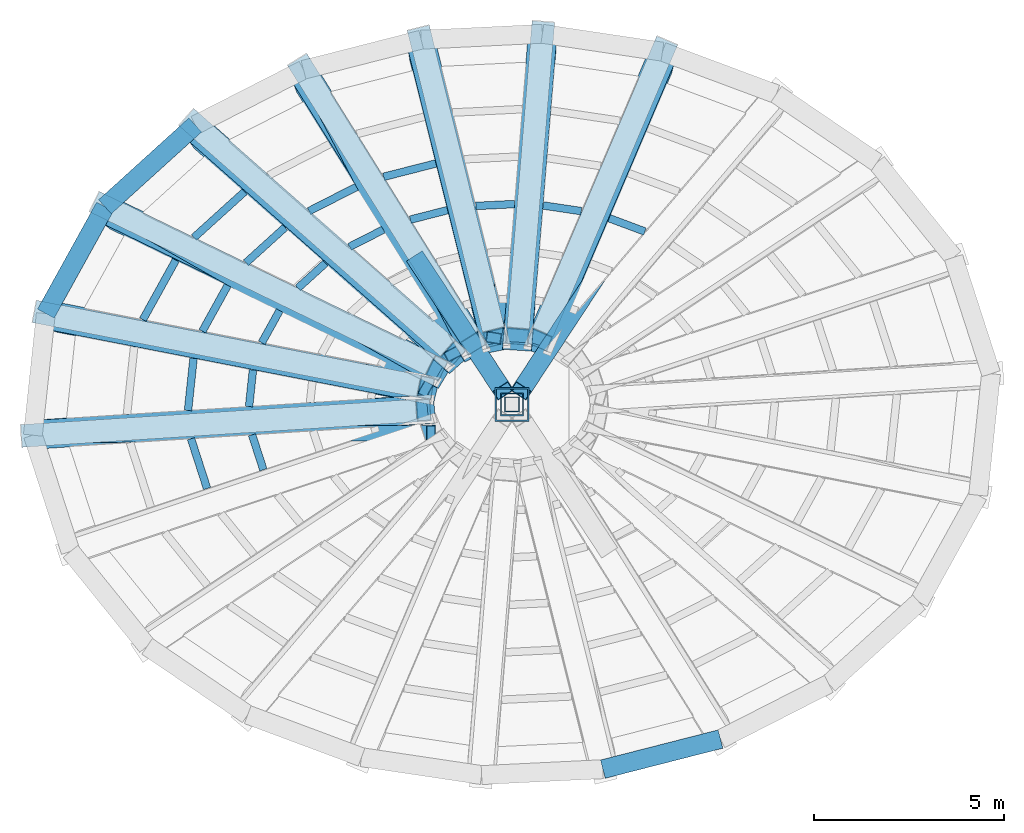
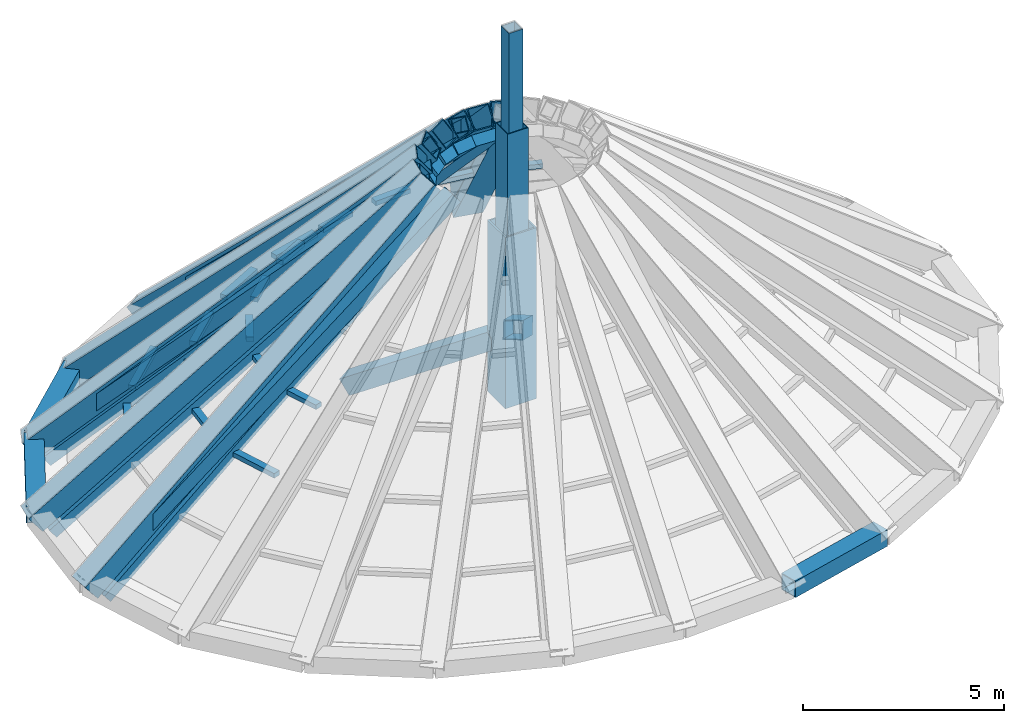
# One storey, part 2 of 9: 42 members, 3 beams, 1 element without a shape of its own.
"""IFC4 building model written with IfcOpenShell, lengths in metres."""

import ifcopenshell
import ifcopenshell.guid

model = None  # the IFC model being written
_history = None  # IfcOwnerHistory: only IFC2X3 demands one
_inside = {}  # id of a spatial element -> (the spatial element, [elements in it])
_under = {}  # id of a project, library or spatial element -> (it, [spatial elements below it])
_declared = {}  # id of a project -> (the project, [libraries it declares])
_typed = {}  # id of a type object -> (the type object, [elements of that type])
_made_of = {}  # id of a material, layer set ... -> (it, [elements and type objects made of it])


def new_model(schema):
    """Start an empty IFC model of exactly this schema.

    Asked for "IFC4X3", IfcOpenShell would pick the latest addendum, in which some entities
    have other attributes; the version numbers below select the first issue.
    IFC2X3 requires an IfcOwnerHistory on every rooted entity: one is made here for all.
    """
    global model, _history
    if schema == "IFC4X3":
        model = ifcopenshell.file(schema_version=(4, 3, 0, 0))
    else:
        model = ifcopenshell.file(schema=schema)
    _inside.clear()
    _under.clear()
    _declared.clear()
    _typed.clear()
    _made_of.clear()
    _history = None
    if model.schema == "IFC2X3":
        org = make("IfcOrganization", Name="unknown")
        user = make(
            "IfcPersonAndOrganization",
            ThePerson=make("IfcPerson", FamilyName="unknown"),
            TheOrganization=org,
        )
        app = make(
            "IfcApplication",
            ApplicationDeveloper=org,
            Version="unknown",
            ApplicationFullName="unknown",
            ApplicationIdentifier="unknown",
        )
        _history = make(
            "IfcOwnerHistory",
            OwningUser=user,
            OwningApplication=app,
            ChangeAction="ADDED",
            CreationDate=0,
        )
    return model


def make(cls, **values):
    """One entity of the class cls with the attributes given. An attribute that is None is left unset."""
    return model.create_entity(
        cls, **{name: value for name, value in values.items() if value is not None}
    )


def rooted(cls, **values):
    """An entity with a GlobalId (a new one), such as an element, a storey or a relation."""
    return make(cls, GlobalId=ifcopenshell.guid.new(), OwnerHistory=_history, **values)


def si_unit(unit_type, name, prefix=None):
    """IfcSIUnit, for example si_unit("LENGTHUNIT", "METRE", prefix="MILLI")."""
    return make("IfcSIUnit", UnitType=unit_type, Prefix=prefix, Name=name)


def assignment(units):
    """IfcUnitAssignment: the units of a project."""
    return None if units is None else make("IfcUnitAssignment", Units=units)


def point(xyz):
    """IfcCartesianPoint."""
    return None if xyz is None else make("IfcCartesianPoint", Coordinates=xyz)


def direction(xyz):
    """IfcDirection."""
    return None if xyz is None else make("IfcDirection", DirectionRatios=xyz)


def frame(location, z_axis=None, x_axis=None):
    """IfcAxis2Placement3D, a coordinate frame: its origin and axes. An axis left out is left unset."""
    return make(
        "IfcAxis2Placement3D",
        Location=point(location),
        Axis=direction(z_axis),
        RefDirection=direction(x_axis),
    )


def frame_2d(location, x_axis=None):
    """IfcAxis2Placement2D, a coordinate frame in the plane: its origin and x axis."""
    return make(
        "IfcAxis2Placement2D", Location=point(location), RefDirection=direction(x_axis)
    )


def origin():
    """The frame at (0, 0, 0) with its axes left unset."""
    return frame((0.0, 0.0, 0.0))


def origin_2d():
    """The frame at (0, 0) in the plane with its x axis left unset."""
    return frame_2d((0.0, 0.0))


def place(relative_to, where):
    """IfcLocalPlacement: puts the frame where relative to a parent placement (None: the world)."""
    return make(
        "IfcLocalPlacement", PlacementRelTo=relative_to, RelativePlacement=where
    )


def context(
    kind, dimensions, precision=None, world=None, true_north=None, identifier=None
):
    """IfcGeometricRepresentationContext, for example the 3D "Model" context."""
    return make(
        "IfcGeometricRepresentationContext",
        ContextIdentifier=identifier,
        ContextType=kind,
        CoordinateSpaceDimension=dimensions,
        Precision=precision,
        WorldCoordinateSystem=world,
        TrueNorth=true_north,
    )


def subcontext(parent, identifier, kind, view, scale=None):
    """IfcGeometricRepresentationSubContext, for example "Body" below "Model"."""
    return make(
        "IfcGeometricRepresentationSubContext",
        ContextIdentifier=identifier,
        ContextType=kind,
        ParentContext=parent,
        TargetScale=scale,
        TargetView=view,
    )


def project(units=None, contexts=None):
    """IfcProject with its units and contexts."""
    return rooted(
        "IfcProject",
        Name="project",
        RepresentationContexts=contexts,
        UnitsInContext=assignment(units),
    )


def spatial(cls, under=None, at=None, **own):
    """A site, building, storey or space (cls), placed at a placement, below another one or the project."""
    s = rooted(cls, ObjectPlacement=at, **own)
    if under is not None:
        _under.setdefault(under.id(), (under, []))[1].append(s)
    return s


def profile(cls, at=None, kind="AREA", **sizes):
    """A parametric profile (cls). Its sizes go by their IFC names, for example OverallWidth=200.0."""
    return make(cls, ProfileType=kind, Position=at, **sizes)


def rectangle(**sizes):
    """IfcRectangleProfileDef."""
    return profile("IfcRectangleProfileDef", **sizes)


def hollow_rectangle(**sizes):
    """IfcRectangleHollowProfileDef."""
    return profile("IfcRectangleHollowProfileDef", **sizes)


def extrude(swept, where, along, depth):
    """IfcExtrudedAreaSolid: the profile swept, set in the frame where, extruded along a direction by depth."""
    return make(
        "IfcExtrudedAreaSolid",
        SweptArea=swept,
        Position=where,
        ExtrudedDirection=direction(along),
        Depth=depth,
    )


def shape(context_of_items, identifier, shape_type, items):
    """IfcShapeRepresentation: the items that make up one representation, for example the "Body"."""
    return make(
        "IfcShapeRepresentation",
        ContextOfItems=context_of_items,
        RepresentationIdentifier=identifier,
        RepresentationType=shape_type,
        Items=items,
    )


def source(mapping_origin, context_of_items, identifier, shape_type, items):
    """IfcRepresentationMap: a shape defined once, which mapped items show again and again."""
    return make(
        "IfcRepresentationMap",
        MappingOrigin=mapping_origin,
        MappedRepresentation=shape(context_of_items, identifier, shape_type, items),
    )


def transform(
    local_origin,
    x_axis=None,
    y_axis=None,
    z_axis=None,
    scale=None,
    scale2=None,
    scale3=None,
    uniform=True,
):
    """IfcCartesianTransformationOperator3D, or its non-uniform kind. x_axis, y_axis, z_axis: its Axis1, 2, 3."""
    if uniform:
        return make(
            "IfcCartesianTransformationOperator3D",
            Axis1=direction(x_axis),
            Axis2=direction(y_axis),
            LocalOrigin=point(local_origin),
            Scale=scale,
            Axis3=direction(z_axis),
        )
    return make(
        "IfcCartesianTransformationOperator3DnonUniform",
        Axis1=direction(x_axis),
        Axis2=direction(y_axis),
        LocalOrigin=point(local_origin),
        Scale=scale,
        Axis3=direction(z_axis),
        Scale2=scale2,
        Scale3=scale3,
    )


def mapped(mapping_source, mapping_target):
    """IfcMappedItem: shows the shape of a source again, moved by a transform."""
    return make(
        "IfcMappedItem", MappingSource=mapping_source, MappingTarget=mapping_target
    )


def material(Name=None, Category=None):
    """IfcMaterial."""
    return make("IfcMaterial", Name=Name, Category=Category)


def material_profile(
    of_material, cross_section, Name=None, Category=None, Priority=None
):
    """IfcMaterialProfile: a cross section and its material."""
    return make(
        "IfcMaterialProfile",
        Name=Name,
        Material=of_material,
        Profile=cross_section,
        Priority=Priority,
        Category=Category,
    )


def profile_set(profiles, Name=None, composite=None):
    """IfcMaterialProfileSet."""
    return make(
        "IfcMaterialProfileSet",
        Name=Name,
        MaterialProfiles=profiles,
        CompositeProfile=composite,
    )


def made_of(thing, what):
    """Note that an element or type object is made of a material, layer set ...; save() writes the relation."""
    if what is not None:
        _made_of.setdefault(what.id(), (what, []))[1].append(thing)
    return thing


def type_object(cls, material=None, **own):
    """A type object (cls), such as IfcWallType, which elements share."""
    return made_of(rooted(cls, **own), material)


def element(
    cls,
    number,
    at=None,
    inside=None,
    cuts=None,
    type_object=None,
    material=None,
    context=None,
    identifier="Body",
    shape_type=None,
    held_by="IfcProductDefinitionShape",
    body=None,
    shapes=None,
    **own,
):
    """One element of the class cls, such as IfcWall. Its Tag is "e" and its number.

    at: its placement. inside: the storey or other place that contains it. cuts: it is an
    opening in that element (IfcRelVoidsElement). A single representation is given by context,
    identifier, shape_type and body (its items); several are given by shapes. held_by: the class
    of the entity that holds the representations. save() writes the other relations.
    """
    e = rooted(cls, Tag="e%d" % number, ObjectPlacement=at, **own)
    if body is not None:
        shapes = [shape(context, identifier, shape_type, body)]
    if shapes is not None:
        e.Representation = make(held_by, Representations=shapes)
    if inside is not None:
        _inside.setdefault(inside.id(), (inside, []))[1].append(e)
    if cuts is not None:
        rooted(
            "IfcRelVoidsElement", RelatingBuildingElement=cuts, RelatedOpeningElement=e
        )
    if type_object is not None:
        _typed.setdefault(type_object.id(), (type_object, []))[1].append(e)
    return made_of(e, material)


def aggregate(whole, parts):
    """IfcRelAggregates: a whole, such as a stair, and the parts it consists of."""
    return rooted("IfcRelAggregates", RelatingObject=whole, RelatedObjects=parts)


def save(model, path):
    """Write the relations noted so far, then the file.

    IfcRelAggregates (storeys below a building ...), IfcRelContainedInSpatialStructure (elements
    in a storey), IfcRelDefinesByType, IfcRelAssociatesMaterial and IfcRelDeclares: one each for
    every whole, place, type object, material and project.
    """
    for whole, parts in _under.values():
        aggregate(whole, parts)
    for where, things in _inside.values():
        rooted(
            "IfcRelContainedInSpatialStructure",
            RelatedElements=things,
            RelatingStructure=where,
        )
    for kind, things in _typed.values():
        rooted("IfcRelDefinesByType", RelatedObjects=things, RelatingType=kind)
    for what, things in _made_of.values():
        rooted("IfcRelAssociatesMaterial", RelatedObjects=things, RelatingMaterial=what)
    for by, libraries in _declared.values():
        rooted("IfcRelDeclares", RelatingContext=by, RelatedDefinitions=libraries)
    model.write(path)


model = new_model("IFC4")

# Units and contexts
model_context = context("Model", 3, precision=1e-05, world=origin(), true_north=direction((0.0, 1.0)))
body_context = subcontext(model_context, "Body", "Model", "MODEL_VIEW")
ifc_project = project(units=[si_unit("LENGTHUNIT", "METRE"), si_unit("AREAUNIT", "SQUARE_METRE"), si_unit("VOLUMEUNIT", "CUBIC_METRE"), si_unit("PLANEANGLEUNIT", "RADIAN"), si_unit("MASSUNIT", "GRAM", prefix="KILO")], contexts=[model_context])

# Site, building, storey
site_placement = place(None, origin())
site = spatial("IfcSite", under=ifc_project, at=site_placement, CompositionType="ELEMENT")
building_placement = place(site_placement, origin())
building = spatial("IfcBuilding", under=site, at=building_placement, Name="Embergate Tower", CompositionType="ELEMENT")
storey_placement = place(building_placement, frame((0.0, 0.0, 374.5)))
storey = spatial("IfcBuildingStorey", under=building, at=storey_placement, Name="Roof", CompositionType="ELEMENT", Elevation=374.5)

# Beams
ifc_material_1 = material(Name="Steel Q355D", Category="steel")
ifc_material_profile_1 = material_profile(ifc_material_1, hollow_rectangle(XDim=0.5, YDim=0.5, WallThickness=0.02490234375, at=origin_2d()), Name="BOX 500x500x25")
ifc_profile_set_1 = profile_set([ifc_material_profile_1], Name="Steel Q355 grade D")
beam_type = type_object("IfcBeamType", Name="Crown frame ring beam BOX 500x500x25", PredefinedType="BEAM", material=ifc_profile_set_1)
shared_shape_1 = source(origin(), body_context, "Body", "SweptSolid", [
    extrude(hollow_rectangle(XDim=0.5, YDim=0.5, WallThickness=0.02490234375, at=origin_2d()), origin(), (0.0, 0.0, 1.0), 3.202880859375),
])
beam_1_placement = place(storey_placement, frame((2.39599609375, -9.6201171875, 0.0), z_axis=(0.96884652958, 0.247661870543, 0.0), x_axis=(-0.247661870543, 0.96884652958, 0.0)))
element("IfcBeam", 1, at=beam_1_placement, inside=storey, type_object=beam_type, Name="CRN-Roof-RB17", PredefinedType="BEAM", context=body_context, shape_type="MappedRepresentation", body=[
    mapped(shared_shape_1, transform((0.0, 0.0, 0.0))),
])
shared_shape_2 = source(origin(), body_context, "Body", "SweptSolid", [
    extrude(hollow_rectangle(XDim=0.5, YDim=0.5, WallThickness=0.02490234375, at=origin_2d()), origin(), (0.0, 0.0, 1.0), 3.212890625),
])
beam_2_placement = place(storey_placement, frame((-8.35498046875, 7.3701171875, 0.0), z_axis=(-0.741087374494, -0.671408596434, 0.0), x_axis=(0.671408596434, -0.741087374494, 0.0)))
element("IfcBeam", 2, at=beam_2_placement, inside=storey, type_object=beam_type, Name="CRN-Roof-RB08", PredefinedType="BEAM", context=body_context, shape_type="MappedRepresentation", body=[
    mapped(shared_shape_2, transform((0.0, 0.0, 0.0))),
])
shared_shape_3 = source(origin(), body_context, "Body", "SweptSolid", [
    extrude(hollow_rectangle(XDim=0.5, YDim=0.5, WallThickness=0.02490234375, at=origin_2d()), origin(), (0.0, 0.0, 1.0), 3.22021484375),
])
beam_3_placement = place(storey_placement, frame((-10.736083984375, 5.212890625, 0.0), z_axis=(-0.484065090401, -0.875031992704, 0.0), x_axis=(0.875031992704, -0.484065090401, 0.0)))
element("IfcBeam", 3, at=beam_3_placement, inside=storey, type_object=beam_type, Name="CRN-Roof-RB09", PredefinedType="BEAM", context=body_context, shape_type="MappedRepresentation", body=[
    mapped(shared_shape_3, transform((0.0, 0.0, 0.0))),
])

# Members
ifc_material_profile_2 = material_profile(ifc_material_1, hollow_rectangle(XDim=0.60009765625, YDim=0.60009765625, WallThickness=0.028076171875, at=origin_2d()), Name="BOX 600x600x28")
ifc_profile_set_2 = profile_set([ifc_material_profile_2], Name="Steel Q355 grade D")
member_type_1 = type_object("IfcMemberType", Name="Glass point hip BOX 600x600x28", PredefinedType="MEMBER", material=ifc_profile_set_2)
shared_shape_4 = source(origin(), body_context, "Body", "SweptSolid", [
    extrude(hollow_rectangle(XDim=0.60009765625, YDim=0.60009765625, WallThickness=0.028076171875, at=origin_2d()), origin(), (0.0, 0.0, 1.0), 13.272705078125),
])
member_1_placement = place(storey_placement, frame((-12.75390625, -0.819091796875, -0.093017578125), z_axis=(0.785529126665, 0.050492388542, 0.616761307039), x_axis=(-0.06414580901, 0.997940536899, 0.0)))
element("IfcMember", 4, at=member_1_placement, inside=storey, type_object=member_type_1, Name="CRN-Roof-HP11", PredefinedType="MEMBER", context=body_context, shape_type="MappedRepresentation", body=[
    mapped(shared_shape_4, transform((0.0, 0.0, 0.0))),
])
shared_shape_5 = source(origin(), body_context, "Body", "SweptSolid", [
    extrude(hollow_rectangle(XDim=0.60009765625, YDim=0.60009765625, WallThickness=0.028076171875, at=origin_2d()), origin(), (0.0, 0.0, 1.0), 11.725830078125),
])
member_2_placement = place(storey_placement, frame((4.010009765625, 9.403076171875, -0.10498046875), z_axis=(-0.28005930332, -0.656768319376, 0.700158668652), x_axis=(0.919859969536, -0.392246907502, 0.0)))
element("IfcMember", 5, at=member_2_placement, inside=storey, type_object=member_type_1, Name="CRN-Roof-HP04", PredefinedType="MEMBER", context=body_context, shape_type="MappedRepresentation", body=[
    mapped(shared_shape_5, transform((0.0, 0.0, 0.0))),
])
shared_shape_6 = source(origin(), body_context, "Body", "SweptSolid", [
    extrude(hollow_rectangle(XDim=0.60009765625, YDim=0.60009765625, WallThickness=0.028076171875, at=origin_2d()), origin(), (0.0, 0.0, 1.0), 11.55078125),
])
member_3_placement = place(storey_placement, frame((0.81005859375, 9.881103515625, -0.10693359375), z_axis=(-0.05749053051, -0.700729249268, 0.711107135474), x_axis=(0.99665129886, -0.081769116909, 0.0)))
element("IfcMember", 6, at=member_3_placement, inside=storey, type_object=member_type_1, Name="CRN-Roof-HP05", PredefinedType="MEMBER", context=body_context, shape_type="MappedRepresentation", body=[
    mapped(shared_shape_6, transform((0.0, 0.0, 0.0))),
])
ifc_material_profile_3 = material_profile(ifc_material_1, hollow_rectangle(XDim=0.39990234375, YDim=0.39990234375, WallThickness=0.02197265625, at=origin_2d()), Name="BOX 400x400x22")
ifc_profile_set_3 = profile_set([ifc_material_profile_3], Name="Steel Q355 grade D")
member_type_2 = type_object("IfcMemberType", Name="Glass point brace BOX 400x400x22", PredefinedType="BRACE", material=ifc_profile_set_3)
shared_shape_7 = source(origin(), body_context, "Body", "SweptSolid", [
    extrude(hollow_rectangle(XDim=0.39990234375, YDim=0.39990234375, WallThickness=0.02197265625, at=origin_2d()), origin(), (0.0, 0.0, 1.0), 11.624267578125),
])
member_4_placement = place(storey_placement, frame((0.818115234375, 9.881103515625, -0.10595703125), z_axis=(-0.11175549007, -0.698886616723, 0.706447597069), x_axis=(0.987455256708, -0.157899069027, 0.0)))
element("IfcMember", 7, at=member_4_placement, inside=storey, type_object=member_type_2, Name="CRN-Roof-DG05", PredefinedType="BRACE", context=body_context, shape_type="MappedRepresentation", body=[
    mapped(shared_shape_7, transform((0.0, 0.0, 0.0))),
])
shared_shape_8 = source(origin(), body_context, "Body", "SweptSolid", [
    extrude(hollow_rectangle(XDim=0.60009765625, YDim=0.60009765625, WallThickness=0.028076171875, at=origin_2d()), origin(), (0.0, 0.0, 1.0), 11.610107421875),
])
member_5_placement = place(storey_placement, frame((-2.422119140625, 9.722900390625, -0.10595703125), z_axis=(0.17089628951, -0.685940317928, 0.707304982644), x_axis=(0.970338161851, 0.241751632169, 0.0)))
element("IfcMember", 8, at=member_5_placement, inside=storey, type_object=member_type_1, Name="CRN-Roof-HP06", PredefinedType="MEMBER", context=body_context, shape_type="MappedRepresentation", body=[
    mapped(shared_shape_8, transform((0.0, 0.0, 0.0))),
])
shared_shape_9 = source(origin(), body_context, "Body", "SweptSolid", [
    extrude(hollow_rectangle(XDim=0.60009765625, YDim=0.60009765625, WallThickness=0.028076171875, at=origin_2d()), origin(), (0.0, 0.0, 1.0), 11.890380859375),
])
member_6_placement = place(storey_placement, frame((-5.555908203125, 8.9189453125, -0.10400390625), z_axis=(0.382561936712, -0.614107179322, 0.690303365836), x_axis=(0.848777002252, 0.52875098151, 0.0)))
element("IfcMember", 9, at=member_6_placement, inside=storey, type_object=member_type_1, Name="CRN-Roof-HP07", PredefinedType="MEMBER", context=body_context, shape_type="MappedRepresentation", body=[
    mapped(shared_shape_9, transform((0.0, 0.0, 0.0))),
])
shared_shape_10 = source(origin(), body_context, "Body", "SweptSolid", [
    extrude(hollow_rectangle(XDim=0.39990234375, YDim=0.39990234375, WallThickness=0.02197265625, at=origin_2d()), origin(), (0.0, 0.0, 1.0), 11.869384765625),
])
member_7_placement = place(storey_placement, frame((-5.549072265625, 8.923095703125, -0.10400390625), z_axis=(0.335499031425, -0.639712793596, 0.69152580691), x_axis=(0.885597340779, 0.464453819023, 0.0)))
element("IfcMember", 10, at=member_7_placement, inside=storey, type_object=member_type_2, Name="CRN-Roof-DG07", PredefinedType="BRACE", context=body_context, shape_type="MappedRepresentation", body=[
    mapped(shared_shape_10, transform((0.0, 0.0, 0.0))),
])
shared_shape_11 = source(origin(), body_context, "Body", "SweptSolid", [
    extrude(hollow_rectangle(XDim=0.60009765625, YDim=0.60009765625, WallThickness=0.028076171875, at=origin_2d()), origin(), (0.0, 0.0, 1.0), 12.330810546875),
])
member_8_placement = place(storey_placement, frame((-8.43896484375, 7.444091796875, -0.10009765625), z_axis=(0.560060622354, -0.494050012712, 0.66501630373), x_axis=(0.661530442406, 0.749918311398, 0.0)))
element("IfcMember", 11, at=member_8_placement, inside=storey, type_object=member_type_1, Name="CRN-Roof-HP08", PredefinedType="MEMBER", context=body_context, shape_type="MappedRepresentation", body=[
    mapped(shared_shape_11, transform((0.0, 0.0, 0.0))),
])
shared_shape_12 = source(origin(), body_context, "Body", "SweptSolid", [
    extrude(hollow_rectangle(XDim=0.60009765625, YDim=0.60009765625, WallThickness=0.028076171875, at=origin_2d()), origin(), (0.0, 0.0, 1.0), 12.8154296875),
])
member_9_placement = place(storey_placement, frame((-10.840087890625, 5.262939453125, -0.095947265625), z_axis=(0.691816979432, -0.335840328526, 0.639218695522), x_axis=(0.436709243606, 0.899602710395, 0.0)))
element("IfcMember", 12, at=member_9_placement, inside=storey, type_object=member_type_1, Name="CRN-Roof-HP09", PredefinedType="MEMBER", context=body_context, shape_type="MappedRepresentation", body=[
    mapped(shared_shape_12, transform((0.0, 0.0, 0.0))),
])
shared_shape_13 = source(origin(), body_context, "Body", "SweptSolid", [
    extrude(hollow_rectangle(XDim=0.39990234375, YDim=0.39990234375, WallThickness=0.02197265625, at=origin_2d()), origin(), (0.0, 0.0, 1.0), 12.8046875),
])
member_10_placement = place(storey_placement, frame((-10.8359375, 5.27001953125, -0.095947265625), z_axis=(0.668186020376, -0.379785913536, 0.639757846418), x_axis=(0.494141954296, 0.86938123341, 0.0)))
element("IfcMember", 13, at=member_10_placement, inside=storey, type_object=member_type_2, Name="CRN-Roof-DG09", PredefinedType="BRACE", context=body_context, shape_type="MappedRepresentation", body=[
    mapped(shared_shape_13, transform((0.0, 0.0, 0.0))),
])
shared_shape_14 = source(origin(), body_context, "Body", "SweptSolid", [
    extrude(hollow_rectangle(XDim=0.60009765625, YDim=0.60009765625, WallThickness=0.028076171875, at=origin_2d()), origin(), (0.0, 0.0, 1.0), 13.1845703125),
])
member_11_placement = place(storey_placement, frame((-12.409912109375, 2.4169921875, -0.093017578125), z_axis=(0.769459951546, -0.14980341262, 0.620878668127), x_axis=(0.191098528519, 0.981570859591, 0.0)))
element("IfcMember", 14, at=member_11_placement, inside=storey, type_object=member_type_1, Name="CRN-Roof-HP10", PredefinedType="MEMBER", context=body_context, shape_type="MappedRepresentation", body=[
    mapped(shared_shape_14, transform((0.0, 0.0, 0.0))),
])
shared_shape_15 = source(origin(), body_context, "Body", "SweptSolid", [
    extrude(hollow_rectangle(XDim=0.39990234375, YDim=0.39990234375, WallThickness=0.02197265625, at=origin_2d()), origin(), (0.0, 0.0, 1.0), 13.40771484375),
])
member_12_placement = place(storey_placement, frame((-12.7548828125, -0.81201171875, -0.092041015625), z_axis=(0.792076106824, 0.004697938701, 0.610404267982), x_axis=(-0.005931066509, 0.99998241107, 0.0)))
element("IfcMember", 15, at=member_12_placement, inside=storey, type_object=member_type_2, Name="CRN-Roof-DG11", PredefinedType="BRACE", context=body_context, shape_type="MappedRepresentation", body=[
    mapped(shared_shape_15, transform((0.0, 0.0, 0.0))),
])
ifc_material_profile_4 = material_profile(ifc_material_1, hollow_rectangle(XDim=0.89990234375, YDim=0.89990234375, WallThickness=0.044921875, at=origin_2d()), Name="BOX 900x900x45")
ifc_profile_set_4 = profile_set([ifc_material_profile_4], Name="Steel Q355 grade D")
member_type_3 = type_object("IfcMemberType", Name="Spire mast BOX 900x900x45", PredefinedType="POST", material=ifc_profile_set_4)
shared_shape_16 = source(origin(), body_context, "Body", "SweptSolid", [
    extrude(hollow_rectangle(XDim=0.89990234375, YDim=0.89990234375, WallThickness=0.044921875, at=origin_2d()), origin(), (0.0, 0.0, 1.0), 5.199951171875),
])
member_13_placement = place(storey_placement, frame((0.0, 0.0, 0.800048828125), z_axis=(0.0, 0.0, 1.0), x_axis=(1.0, 0.0, 0.0)))
element("IfcMember", 16, at=member_13_placement, inside=storey, type_object=member_type_3, Name="SPR-MAST-01", PredefinedType="POST", context=body_context, shape_type="MappedRepresentation", body=[
    mapped(shared_shape_16, transform((0.0, 0.0, 0.0))),
])
ifc_material_profile_5 = material_profile(ifc_material_1, hollow_rectangle(XDim=0.60009765625, YDim=0.60009765625, WallThickness=0.028076171875, at=origin_2d()), Name="BOX 600x600x28")
ifc_profile_set_5 = profile_set([ifc_material_profile_5], Name="Steel Q355 grade D")
member_type_4 = type_object("IfcMemberType", Name="Spire mast BOX 600x600x28", PredefinedType="POST", material=ifc_profile_set_5)
shared_shape_17 = source(origin(), body_context, "Body", "SweptSolid", [
    extrude(hollow_rectangle(XDim=0.60009765625, YDim=0.60009765625, WallThickness=0.028076171875, at=origin_2d()), origin(), (0.0, 0.0, 1.0), 3.300048828125),
])
member_14_placement = place(storey_placement, frame((0.0, 0.0, 5.699951171875), z_axis=(0.0, 0.0, 1.0), x_axis=(1.0, 0.0, 0.0)))
element("IfcMember", 17, at=member_14_placement, inside=storey, type_object=member_type_4, Name="SPR-MAST-02", PredefinedType="POST", context=body_context, shape_type="MappedRepresentation", body=[
    mapped(shared_shape_17, transform((0.0, 0.0, 0.0))),
])
ifc_material_profile_6 = material_profile(ifc_material_1, hollow_rectangle(XDim=0.39990234375, YDim=0.39990234375, WallThickness=0.02197265625, at=origin_2d()), Name="BOX 400x400x22")
ifc_profile_set_6 = profile_set([ifc_material_profile_6], Name="Steel Q355 grade D")
member_type_5 = type_object("IfcMemberType", Name="Spire mast BOX 400x400x22", PredefinedType="POST", material=ifc_profile_set_6)
shared_shape_18 = source(origin(), body_context, "Body", "SweptSolid", [
    extrude(hollow_rectangle(XDim=0.39990234375, YDim=0.39990234375, WallThickness=0.02197265625, at=origin_2d()), origin(), (0.0, 0.0, 1.0), 3.27001953125),
])
member_15_placement = place(storey_placement, frame((0.0, 0.0, 8.699951171875), z_axis=(0.0, 0.0, 1.0), x_axis=(1.0, 0.0, 0.0)))
element("IfcMember", 18, at=member_15_placement, inside=storey, type_object=member_type_5, Name="SPR-MAST-03", PredefinedType="POST", context=body_context, shape_type="MappedRepresentation", body=[
    mapped(shared_shape_18, transform((0.0, 0.0, 0.0))),
])
ifc_material_profile_7 = material_profile(ifc_material_1, hollow_rectangle(XDim=0.5, YDim=0.5, WallThickness=0.02490234375, at=origin_2d()), Name="BOX 500x500x25")
ifc_profile_set_7 = profile_set([ifc_material_profile_7], Name="Steel Q355 grade D")
member_type_6 = type_object("IfcMemberType", Name="Spire leg BOX 500x500x25", PredefinedType="BRACE", material=ifc_profile_set_7)
shared_shape_19 = source(origin(), body_context, "Body", "SweptSolid", [
    extrude(hollow_rectangle(XDim=0.5, YDim=0.5, WallThickness=0.02490234375, at=origin_2d()), origin(), (0.0, 0.0, 1.0), 4.933837890625),
])
for number, where, z_axis, x_axis, name in (
    (19, (-2.5, 3.800048828125, -0.25), (0.458844012679, -0.697444878542, 0.550484162737), (0.835417798417, 0.549615412892, 0.0), "SPR-LEG-02"),
    (20, (2.5, 3.800048828125, -0.25), (-0.458844012679, -0.697444878542, 0.550484162737), (0.835417798417, -0.549615412892, 0.0), "SPR-LEG-04"),
):
    element("IfcMember", number, at=place(storey_placement, frame(where, z_axis=z_axis, x_axis=x_axis)), inside=storey, type_object=member_type_6, Name=name, PredefinedType="BRACE", context=body_context, shape_type="MappedRepresentation", body=[
        mapped(shared_shape_19, transform((0.0, 0.0, 0.0))),
    ])

# Curtain wall, members
ifc_material_2 = material(Name="Aluminium and glass", Category="aluminium")
curtain_wall_type = type_object("IfcCurtainWallType", Name="Crown facet glazing", PredefinedType="NOTDEFINED", material=ifc_material_2)
curtain_wall_placement = place(storey_placement, origin())
curtain_wall = element("IfcCurtainWall", 21, at=curtain_wall_placement, inside=storey, type_object=curtain_wall_type, Name="Crown facet glazing Roof", ObjectType="CROWN FACET GLAZING", PredefinedType="USERDEFINED")
ifc_material_3 = material(Name="Aluminium, thermally broken", Category="aluminium")
ifc_material_profile_8 = material_profile(ifc_material_3, rectangle(XDim=0.300048828125, YDim=0.760009765625, at=origin_2d()), Name="AL 760x300")
ifc_profile_set_8 = profile_set([ifc_material_profile_8], Name="Aluminium, thermally broken")
member_type_7 = type_object("IfcMemberType", Name="Crown apex hip cover", PredefinedType="MULLION", material=ifc_profile_set_8)
shared_shape_20 = source(origin(), body_context, "Body", "SweptSolid", [
    extrude(rectangle(XDim=0.300048828125, YDim=0.760009765625, at=origin_2d()), origin(), (0.0, 0.0, 1.0), 12.9716796875),
])
member_16_placement = place(storey_placement, frame((-12.326416015625, -0.778564453125, -0.396728515625), z_axis=(0.785557124659, 0.050421858665, 0.616731416475), x_axis=(-0.613681636941, -0.064309391429, 0.786930206979)))
member_16 = element("IfcMember", 22, at=member_16_placement, type_object=member_type_7, Name="CW hip 12", PredefinedType="MULLION", context=body_context, shape_type="MappedRepresentation", body=[
    mapped(shared_shape_20, transform((0.0, 0.0, 0.0))),
])
ifc_material_profile_9 = material_profile(ifc_material_3, rectangle(XDim=0.199951171875, YDim=0.139892578125, at=origin_2d()), Name="AL 140x200")
ifc_profile_set_9 = profile_set([ifc_material_profile_9], Name="Aluminium, thermally broken")
member_type_8 = type_object("IfcMemberType", Name="Crown facet transom", PredefinedType="USERDEFINED", material=ifc_profile_set_9)
shared_shape_21 = source(origin(), body_context, "Body", "SweptSolid", [
    extrude(rectangle(XDim=0.199951171875, YDim=0.139892578125, at=origin_2d()), origin(), (0.0, 0.0, 1.0), 1.380615234375),
])
member_17_placement = place(storey_placement, frame((-8.465576171875, -0.905029296875, 2.541259765625), z_axis=(0.307514237363, -0.951543479731, 0.0), x_axis=(0.951543479731, 0.307514237363, 0.0)))
member_17 = element("IfcMember", 23, at=member_17_placement, type_object=member_type_8, Name="CW transom 12.2", ObjectType="TRANSOM", PredefinedType="USERDEFINED", context=body_context, shape_type="MappedRepresentation", body=[
    mapped(shared_shape_21, transform((0.0, 0.0, 0.0))),
])
shared_shape_22 = source(origin(), body_context, "Body", "SweptSolid", [
    extrude(rectangle(XDim=0.199951171875, YDim=0.139892578125, at=origin_2d()), origin(), (0.0, 0.0, 1.0), 0.97021484375),
])
member_18_placement = place(storey_placement, frame((-6.855224609375, -0.801513671875, 3.8056640625), z_axis=(0.307759984948, -0.951464025418, 0.0), x_axis=(0.951464025418, 0.307759984948, 0.0)))
member_18 = element("IfcMember", 24, at=member_18_placement, type_object=member_type_8, Name="CW transom 12.3", ObjectType="TRANSOM", PredefinedType="USERDEFINED", context=body_context, shape_type="MappedRepresentation", body=[
    mapped(shared_shape_22, transform((0.0, 0.0, 0.0))),
])
shared_shape_23 = source(origin(), body_context, "Body", "SweptSolid", [
    extrude(rectangle(XDim=0.199951171875, YDim=0.139892578125, at=origin_2d()), origin(), (0.0, 0.0, 1.0), 1.005126953125),
])
member_19_placement = place(storey_placement, frame((3.505126953125, 4.560302734375, 3.821533203125), z_axis=(-0.936916841991, 0.349552329693, 0.0), x_axis=(-0.349552329693, -0.936916841991, 0.0)))
member_19 = element("IfcMember", 25, at=member_19_placement, type_object=member_type_8, Name="CW transom 4.3", ObjectType="TRANSOM", PredefinedType="USERDEFINED", context=body_context, shape_type="MappedRepresentation", body=[
    mapped(shared_shape_23, transform((0.0, 0.0, 0.0))),
])
shared_shape_24 = source(origin(), body_context, "Body", "SweptSolid", [
    extrude(rectangle(XDim=0.300048828125, YDim=0.760009765625, at=origin_2d()), origin(), (0.0, 0.0, 1.0), 11.425048828125),
])
member_20_placement = place(storey_placement, frame((3.880126953125, 8.9619140625, -0.35595703125), z_axis=(-0.280080017427, -0.656703982266, 0.700210727935), x_axis=(0.175394629133, 0.682119786159, 0.70989388038)))
member_20 = element("IfcMember", 26, at=member_20_placement, type_object=member_type_7, Name="CW hip 5", PredefinedType="MULLION", context=body_context, shape_type="MappedRepresentation", body=[
    mapped(shared_shape_24, transform((0.0, 0.0, 0.0))),
])
shared_shape_25 = source(origin(), body_context, "Body", "SweptSolid", [
    extrude(rectangle(XDim=0.199951171875, YDim=0.139892578125, at=origin_2d()), origin(), (0.0, 0.0, 1.0), 1.018798828125),
])
member_21_placement = place(storey_placement, frame((1.827880859375, 5.097900390625, 3.824462890625), z_axis=(-0.989078287168, 0.147391118635, 0.0), x_axis=(-0.147391118635, -0.989078287168, 0.0)))
member_21 = element("IfcMember", 27, at=member_21_placement, type_object=member_type_8, Name="CW transom 5.3", ObjectType="TRANSOM", PredefinedType="USERDEFINED", context=body_context, shape_type="MappedRepresentation", body=[
    mapped(shared_shape_25, transform((0.0, 0.0, 0.0))),
])
shared_shape_26 = source(origin(), body_context, "Body", "SweptSolid", [
    extrude(rectangle(XDim=0.300048828125, YDim=0.760009765625, at=origin_2d()), origin(), (0.0, 0.0, 1.0), 11.25048828125),
])
member_22_placement = place(storey_placement, frame((0.783447265625, 9.419921875, -0.352294921875), z_axis=(-0.057418973671, -0.700767542237, 0.711075181123), x_axis=(0.035151639909, 0.710389551387, 0.702930329045)))
member_22 = element("IfcMember", 28, at=member_22_placement, type_object=member_type_7, Name="CW hip 6", PredefinedType="MULLION", context=body_context, shape_type="MappedRepresentation", body=[
    mapped(shared_shape_26, transform((0.0, 0.0, 0.0))),
])
shared_shape_27 = source(origin(), body_context, "Body", "SweptSolid", [
    extrude(rectangle(XDim=0.199951171875, YDim=0.139892578125, at=origin_2d()), origin(), (0.0, 0.0, 1.0), 1.02099609375),
])
member_23_placement = place(storey_placement, frame((0.06689453125, 5.28466796875, 3.824951171875), z_axis=(-0.998821133468, -0.048542181014, 0.0), x_axis=(0.048542181014, -0.998821133468, 0.0)))
member_23 = element("IfcMember", 29, at=member_23_placement, type_object=member_type_8, Name="CW transom 6.3", ObjectType="TRANSOM", PredefinedType="USERDEFINED", context=body_context, shape_type="MappedRepresentation", body=[
    mapped(shared_shape_27, transform((0.0, 0.0, 0.0))),
])
shared_shape_28 = source(origin(), body_context, "Body", "SweptSolid", [
    extrude(rectangle(XDim=0.300048828125, YDim=0.760009765625, at=origin_2d()), origin(), (0.0, 0.0, 1.0), 11.310302734375),
])
member_24_placement = place(storey_placement, frame((-2.34326171875, 9.2685546875, -0.353515625), z_axis=(0.170830697291, -0.685934681303, 0.707326293764), x_axis=(-0.105249587461, 0.701067665014, 0.705284803049)))
member_24 = element("IfcMember", 30, at=member_24_placement, type_object=member_type_7, Name="CW hip 7", PredefinedType="MULLION", context=body_context, shape_type="MappedRepresentation", body=[
    mapped(shared_shape_28, transform((0.0, 0.0, 0.0))),
])
shared_shape_29 = source(origin(), body_context, "Body", "SweptSolid", [
    extrude(rectangle(XDim=0.199951171875, YDim=0.139892578125, at=origin_2d()), origin(), (0.0, 0.0, 1.0), 1.42236328125),
])
member_25_placement = place(storey_placement, frame((-2.00732421875, 6.355712890625, 2.553466796875), z_axis=(-0.968887942591, -0.247499807479, 0.0), x_axis=(0.247499807479, -0.968887942591, 0.0)))
member_25 = element("IfcMember", 31, at=member_25_placement, type_object=member_type_8, Name="CW transom 7.2", ObjectType="TRANSOM", PredefinedType="USERDEFINED", context=body_context, shape_type="MappedRepresentation", body=[
    mapped(shared_shape_29, transform((0.0, 0.0, 0.0))),
])
shared_shape_30 = source(origin(), body_context, "Body", "SweptSolid", [
    extrude(rectangle(XDim=0.199951171875, YDim=0.139892578125, at=origin_2d()), origin(), (0.0, 0.0, 1.0), 1.012451171875),
])
member_26_placement = place(storey_placement, frame((-1.70068359375, 5.12451171875, 3.8232421875), z_axis=(-0.968852501716, -0.247638506536, 0.0), x_axis=(0.247638506536, -0.968852501716, 0.0)))
member_26 = element("IfcMember", 32, at=member_26_placement, type_object=member_type_8, Name="CW transom 7.3", ObjectType="TRANSOM", PredefinedType="USERDEFINED", context=body_context, shape_type="MappedRepresentation", body=[
    mapped(shared_shape_30, transform((0.0, 0.0, 0.0))),
])
shared_shape_31 = source(origin(), body_context, "Body", "SweptSolid", [
    extrude(rectangle(XDim=0.300048828125, YDim=0.760009765625, at=origin_2d()), origin(), (0.0, 0.0, 1.0), 11.59033203125),
])
member_27_placement = place(storey_placement, frame((-5.3759765625, 8.499755859375, -0.359619140625), z_axis=(0.382648412316, -0.614141644253, 0.690224770163), x_axis=(-0.245447757692, 0.652661204827, 0.716790590032)))
member_27 = element("IfcMember", 33, at=member_27_placement, type_object=member_type_7, Name="CW hip 8", PredefinedType="MULLION", context=body_context, shape_type="MappedRepresentation", body=[
    mapped(shared_shape_31, transform((0.0, 0.0, 0.0))),
])
shared_shape_32 = source(origin(), body_context, "Body", "SweptSolid", [
    extrude(rectangle(XDim=0.199951171875, YDim=0.139892578125, at=origin_2d()), origin(), (0.0, 0.0, 1.0), 1.40673828125),
])
member_28_placement = place(storey_placement, frame((-4.099853515625, 5.738037109375, 2.551025390625), z_axis=(-0.890717413983, -0.454557464384, 0.0), x_axis=(0.454557464384, -0.890717413983, 0.0)))
member_28 = element("IfcMember", 34, at=member_28_placement, type_object=member_type_8, Name="CW transom 8.2", ObjectType="TRANSOM", PredefinedType="USERDEFINED", context=body_context, shape_type="MappedRepresentation", body=[
    mapped(shared_shape_32, transform((0.0, 0.0, 0.0))),
])
shared_shape_33 = source(origin(), body_context, "Body", "SweptSolid", [
    extrude(rectangle(XDim=0.199951171875, YDim=0.139892578125, at=origin_2d()), origin(), (0.0, 0.0, 1.0), 0.996826171875),
])
member_29_placement = place(storey_placement, frame((-3.396484375, 4.609375, 3.819580078125), z_axis=(-0.890723422903, -0.454545689554, 0.0), x_axis=(0.454545689554, -0.890723422903, 0.0)))
member_29 = element("IfcMember", 35, at=member_29_placement, type_object=member_type_8, Name="CW transom 8.3", ObjectType="TRANSOM", PredefinedType="USERDEFINED", context=body_context, shape_type="MappedRepresentation", body=[
    mapped(shared_shape_33, transform((0.0, 0.0, 0.0))),
])
shared_shape_34 = source(origin(), body_context, "Body", "SweptSolid", [
    extrude(rectangle(XDim=0.300048828125, YDim=0.760009765625, at=origin_2d()), origin(), (0.0, 0.0, 1.0), 12.030517578125),
])
member_30_placement = place(storey_placement, frame((-8.162841796875, 7.090087890625, -0.369873046875), z_axis=(0.560078703385, -0.494084430281, 0.664975504638), x_axis=(-0.382711858996, 0.557586169231, 0.736633760336)))
member_30 = element("IfcMember", 36, at=member_30_placement, type_object=member_type_7, Name="CW hip 9", PredefinedType="MULLION", context=body_context, shape_type="MappedRepresentation", body=[
    mapped(shared_shape_34, transform((0.0, 0.0, 0.0))),
])
shared_shape_35 = source(origin(), body_context, "Body", "SweptSolid", [
    extrude(rectangle(XDim=0.199951171875, YDim=0.139892578125, at=origin_2d()), origin(), (0.0, 0.0, 1.0), 1.80078125),
])
member_31_placement = place(storey_placement, frame((-7.05419921875, 5.609619140625, 1.280029296875), z_axis=(-0.741153463573, -0.671335641415, 0.0), x_axis=(0.671335641415, -0.741153463573, 0.0)))
member_31 = element("IfcMember", 37, at=member_31_placement, type_object=member_type_8, Name="CW transom 9.1", ObjectType="TRANSOM", PredefinedType="USERDEFINED", context=body_context, shape_type="MappedRepresentation", body=[
    mapped(shared_shape_35, transform((0.0, 0.0, 0.0))),
])
shared_shape_36 = source(origin(), body_context, "Body", "SweptSolid", [
    extrude(rectangle(XDim=0.199951171875, YDim=0.139892578125, at=origin_2d()), origin(), (0.0, 0.0, 1.0), 1.39013671875),
])
member_32_placement = place(storey_placement, frame((-5.9873046875, 4.668212890625, 2.546875), z_axis=(-0.741107094162, -0.671386829617, 0.0), x_axis=(0.671386829617, -0.741107094162, 0.0)))
member_32 = element("IfcMember", 38, at=member_32_placement, type_object=member_type_8, Name="CW transom 9.2", ObjectType="TRANSOM", PredefinedType="USERDEFINED", context=body_context, shape_type="MappedRepresentation", body=[
    mapped(shared_shape_36, transform((0.0, 0.0, 0.0))),
])
shared_shape_37 = source(origin(), body_context, "Body", "SweptSolid", [
    extrude(rectangle(XDim=0.199951171875, YDim=0.139892578125, at=origin_2d()), origin(), (0.0, 0.0, 1.0), 0.97998046875),
])
member_33_placement = place(storey_placement, frame((-4.92041015625, 3.72705078125, 3.813720703125), z_axis=(-0.741122514652, -0.671369807391, 0.0), x_axis=(0.671369807391, -0.741122514652, 0.0)))
member_33 = element("IfcMember", 39, at=member_33_placement, type_object=member_type_8, Name="CW transom 9.3", ObjectType="TRANSOM", PredefinedType="USERDEFINED", context=body_context, shape_type="MappedRepresentation", body=[
    mapped(shared_shape_37, transform((0.0, 0.0, 0.0))),
])
shared_shape_38 = source(origin(), body_context, "Body", "SweptSolid", [
    extrude(rectangle(XDim=0.300048828125, YDim=0.760009765625, at=origin_2d()), origin(), (0.0, 0.0, 1.0), 12.515380859375),
])
member_34_placement = place(storey_placement, frame((-10.48095703125, 5.009521484375, -0.3828125), z_axis=(0.691785574128, -0.335914829159, 0.639213537857), x_axis=(-0.506911004649, 0.404523985911, 0.761184326027)))
member_34 = element("IfcMember", 40, at=member_34_placement, type_object=member_type_7, Name="CW hip 10", PredefinedType="MULLION", context=body_context, shape_type="MappedRepresentation", body=[
    mapped(shared_shape_38, transform((0.0, 0.0, 0.0))),
])
shared_shape_39 = source(origin(), body_context, "Body", "SweptSolid", [
    extrude(rectangle(XDim=0.199951171875, YDim=0.139892578125, at=origin_2d()), origin(), (0.0, 0.0, 1.0), 1.793212890625),
])
member_35_placement = place(storey_placement, frame((-8.866943359375, 3.805908203125, 1.27783203125), z_axis=(-0.484023677198, -0.875054901084, 0.0), x_axis=(0.875054901084, -0.484023677198, 0.0)))
member_35 = element("IfcMember", 41, at=member_35_placement, type_object=member_type_8, Name="CW transom 10.1", ObjectType="TRANSOM", PredefinedType="USERDEFINED", context=body_context, shape_type="MappedRepresentation", body=[
    mapped(shared_shape_39, transform((0.0, 0.0, 0.0))),
])
shared_shape_40 = source(origin(), body_context, "Body", "SweptSolid", [
    extrude(rectangle(XDim=0.199951171875, YDim=0.139892578125, at=origin_2d()), origin(), (0.0, 0.0, 1.0), 1.382568359375),
])
member_36_placement = place(storey_placement, frame((-7.497802734375, 3.14111328125, 2.542724609375), z_axis=(-0.484052754226, -0.875038816925, 0.0), x_axis=(0.875038816925, -0.484052754226, 0.0)))
member_36 = element("IfcMember", 42, at=member_36_placement, type_object=member_type_8, Name="CW transom 10.2", ObjectType="TRANSOM", PredefinedType="USERDEFINED", context=body_context, shape_type="MappedRepresentation", body=[
    mapped(shared_shape_40, transform((0.0, 0.0, 0.0))),
])
shared_shape_41 = source(origin(), body_context, "Body", "SweptSolid", [
    extrude(rectangle(XDim=0.199951171875, YDim=0.139892578125, at=origin_2d()), origin(), (0.0, 0.0, 1.0), 0.971435546875),
])
member_37_placement = place(storey_placement, frame((-6.12890625, 2.476318359375, 3.807861328125), z_axis=(-0.484020443542, -0.875056689726, 0.0), x_axis=(0.875056689726, -0.484020443542, 0.0)))
member_37 = element("IfcMember", 43, at=member_37_placement, type_object=member_type_8, Name="CW transom 10.3", ObjectType="TRANSOM", PredefinedType="USERDEFINED", context=body_context, shape_type="MappedRepresentation", body=[
    mapped(shared_shape_41, transform((0.0, 0.0, 0.0))),
])
shared_shape_42 = source(origin(), body_context, "Body", "SweptSolid", [
    extrude(rectangle(XDim=0.300048828125, YDim=0.760009765625, at=origin_2d()), origin(), (0.0, 0.0, 1.0), 12.885498046875),
])
member_38_placement = place(storey_placement, frame((-11.99560546875, 2.299560546875, -0.39404296875), z_axis=(0.769471904777, -0.149851110383, 0.620852343537), x_axis=(-0.594008600572, 0.189251755923, 0.781880780763)))
member_38 = element("IfcMember", 44, at=member_38_placement, type_object=member_type_7, Name="CW hip 11", PredefinedType="MULLION", context=body_context, shape_type="MappedRepresentation", body=[
    mapped(shared_shape_42, transform((0.0, 0.0, 0.0))),
])
shared_shape_43 = source(origin(), body_context, "Body", "SweptSolid", [
    extrude(rectangle(XDim=0.199951171875, YDim=0.139892578125, at=origin_2d()), origin(), (0.0, 0.0, 1.0), 1.381591796875),
])
member_39_placement = place(storey_placement, frame((-8.39892578125, 1.214599609375, 2.540283203125), z_axis=(-0.105678234537, -0.994400377486, 0.0), x_axis=(0.994400377486, -0.105678234537, 0.0)))
member_39 = element("IfcMember", 45, at=member_39_placement, type_object=member_type_8, Name="CW transom 11.2", ObjectType="TRANSOM", PredefinedType="USERDEFINED", context=body_context, shape_type="MappedRepresentation", body=[
    mapped(shared_shape_43, transform((0.0, 0.0, 0.0))),
])
shared_shape_44 = source(origin(), body_context, "Body", "SweptSolid", [
    extrude(rectangle(XDim=0.199951171875, YDim=0.139892578125, at=origin_2d()), origin(), (0.0, 0.0, 1.0), 0.970703125),
])
member_40_placement = place(storey_placement, frame((-6.832275390625, 0.909423828125, 3.80419921875), z_axis=(-0.105875999577, -0.99437934045, 0.0), x_axis=(0.99437934045, -0.105875999577, 0.0)))
member_40 = element("IfcMember", 46, at=member_40_placement, type_object=member_type_8, Name="CW transom 11.3", ObjectType="TRANSOM", PredefinedType="USERDEFINED", context=body_context, shape_type="MappedRepresentation", body=[
    mapped(shared_shape_44, transform((0.0, 0.0, 0.0))),
])
aggregate(curtain_wall, [member_19, member_20, member_21, member_22, member_23, member_24, member_25, member_26, member_27, member_28, member_29, member_30, member_31, member_32, member_33, member_34, member_35, member_36, member_37, member_38, member_39, member_40, member_16, member_17, member_18])

save(model, "model.ifc")
